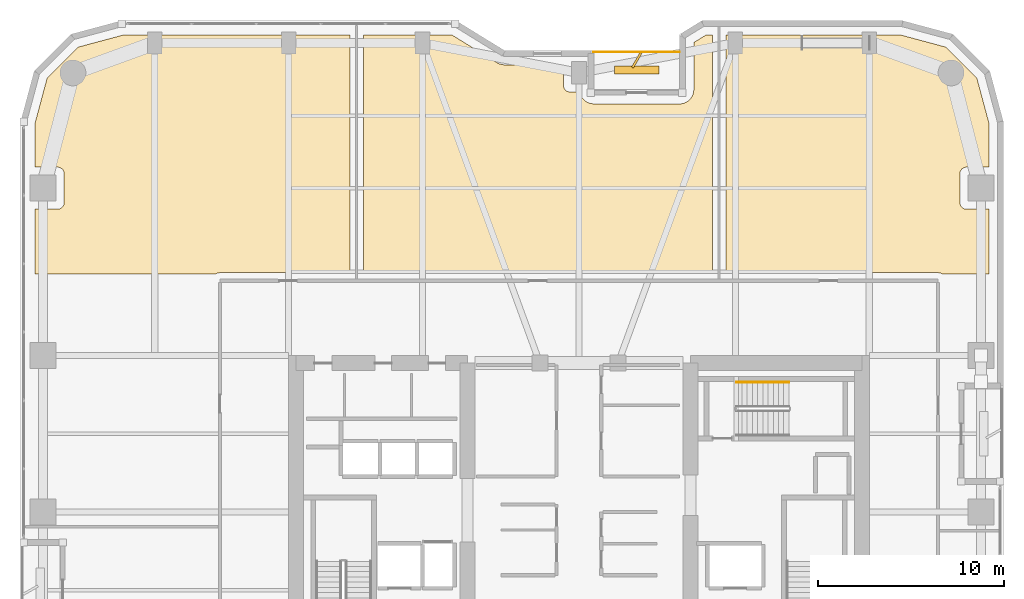
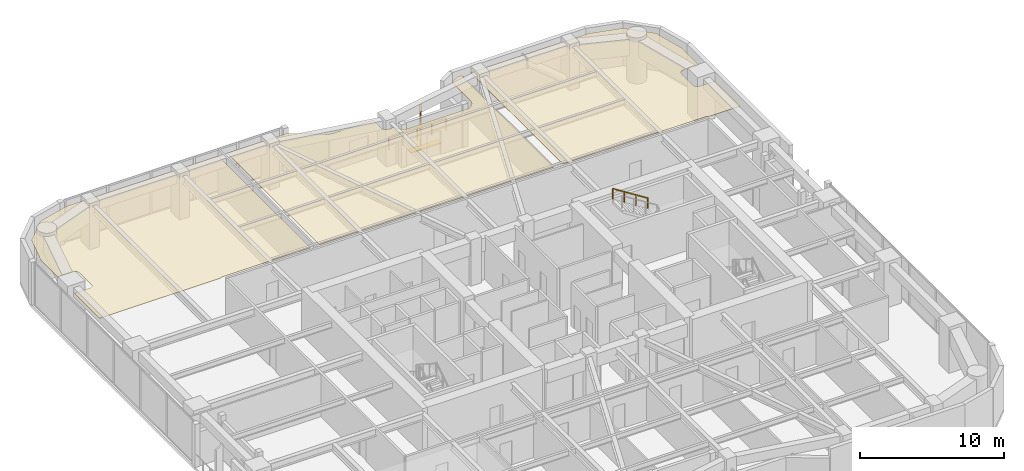
# One storey, part 24 of 24: 3 coverings, 2 railings, 2 shading devices.
"""IFC4 building model written with IfcOpenShell, lengths in metres."""

from ifc_helpers import new_model, si_unit, direction, frame, origin, origin_2d, place, context, subcontext, project, spatial, polyline, rectangle, outline, extrude, material, layer, layer_set, type_object, element, save


model = new_model("IFC4")

# Units and contexts
model_context = context("Model", 3, precision=1e-05, world=origin(), true_north=direction((0.0, 1.0)))
body_context = subcontext(model_context, "Body", "Model", "MODEL_VIEW")
ifc_project = project(units=[si_unit("LENGTHUNIT", "METRE"), si_unit("AREAUNIT", "SQUARE_METRE"), si_unit("VOLUMEUNIT", "CUBIC_METRE"), si_unit("PLANEANGLEUNIT", "RADIAN"), si_unit("MASSUNIT", "GRAM", prefix="KILO")], contexts=[model_context])

# Site, building, storey
site_placement = place(None, origin())
site = spatial("IfcSite", under=ifc_project, at=site_placement, CompositionType="ELEMENT")
building_placement = place(site_placement, origin())
building = spatial("IfcBuilding", under=site, at=building_placement, Name="Kiyonajd Concourse Tower", CompositionType="ELEMENT")
storey_placement = place(building_placement, frame((0.0, 0.0, 113.10009765625)))
storey = spatial("IfcBuildingStorey", under=building, at=storey_placement, Name="L29", CompositionType="ELEMENT", Elevation=113.10009765625)

# Coverings
ifc_material_1 = material(Name="Natural Oak Acoustic Timber Veneer", Category="wood")
ifc_layer = layer(ifc_material_1, 0.0400390625)
ifc_layer_set = layer_set([ifc_layer], Name="Natural Oak Acoustic Timber Veneer")
covering_type = type_object("IfcCoveringType", Name="CV-CLG-ACST", PredefinedType="CEILING", material=ifc_layer_set)
covering_1_placement = place(storey_placement, frame((0.0, 0.0, 3.4599609375)))
element("IfcCovering", 1, at=covering_1_placement, inside=storey, type_object=covering_type, Name="L29-49 Room Acoustic Ceiling", PredefinedType="CEILING", context=body_context, shape_type="SweptSolid", body=[
    extrude(outline(polyline([(21.097900390625, 60.986083984375), (23.5009765625, 61.6298828125), (35.68994140625, 61.6298828125), (35.68994140625, 48.860107421875), (28.699951171875, 48.860107421875), (28.570068359375, 48.840087890625), (28.507080078125, 48.81396484375), (28.451904296875, 48.780029296875), (18.77001953125, 48.780029296875), (18.77001953125, 52.27001953125), (19.97998046875, 52.27001953125), (20.048095703125, 52.277099609375), (20.14501953125, 52.31103515625), (20.201904296875, 52.34912109375), (20.2509765625, 52.39794921875), (20.2890625, 52.455078125), (20.31494140625, 52.51806640625), (20.330078125, 52.6201171875), (20.330078125, 54.179931640625), (20.31494140625, 54.281982421875), (20.2890625, 54.344970703125), (20.2509765625, 54.402099609375), (20.201904296875, 54.450927734375), (20.14501953125, 54.489013671875), (20.08203125, 54.514892578125), (20.013916015625, 54.528076171875), (18.77001953125, 54.530029296875), (18.77001953125, 56.89892578125), (19.4140625, 59.302001953125), (21.097900390625, 60.986083984375)])), origin(), (0.0, 0.0, 1.0), 0.0400390625),
])
covering_2_placement = place(storey_placement, frame((0.0, 0.0, 3.4599609375)))
element("IfcCovering", 2, at=covering_2_placement, inside=storey, type_object=covering_type, Name="L29-50 Room Acoustic Ceiling", PredefinedType="CEILING", context=body_context, shape_type="SweptSolid", body=[
    extrude(outline(polyline([(43.694091796875, 60.093994140625), (43.85888671875, 60.04296875), (44.0, 60.030029296875), (47.169921875, 60.030029296875), (47.169921875, 58.919921875), (47.18505859375, 58.818115234375), (47.22900390625, 58.72607421875), (47.27294921875, 58.673095703125), (47.325927734375, 58.62890625), (47.385986328125, 58.596923828125), (47.451904296875, 58.576904296875), (47.52001953125, 58.570068359375), (48.041015625, 58.570068359375), (48.069091796875, 58.4599609375), (48.114990234375, 58.34912109375), (48.18310546875, 58.240966796875), (48.242919921875, 58.16796875), (48.320068359375, 58.097900390625), (48.448974609375, 58.014892578125), (48.52099609375, 57.98291015625), (48.633056640625, 57.947998046875), (48.800048828125, 57.929931640625), (53.491943359375, 57.93603515625), (53.60693359375, 57.9580078125), (53.7041015625, 57.991943359375), (53.839111328125, 58.068115234375), (53.931884765625, 58.14306640625), (54.008056640625, 58.22802734375), (54.056884765625, 58.300048828125), (54.10791015625, 58.39599609375), (54.152099609375, 58.532958984375), (54.16796875, 58.658935546875), (54.169921875, 61.23095703125), (54.818115234375, 61.6298828125), (55.169921875, 61.6298828125), (55.169921875, 48.860107421875), (36.409912109375, 48.860107421875), (36.409912109375, 61.6298828125), (41.181884765625, 61.6298828125), (43.596923828125, 60.14404296875), (43.694091796875, 60.093994140625)])), origin(), (0.0, 0.0, 1.0), 0.0400390625),
])
covering_3_placement = place(storey_placement, frame((0.0, 0.0, 3.4599609375)))
element("IfcCovering", 3, at=covering_3_placement, inside=storey, type_object=covering_type, Name="L29-51 Room Acoustic Ceiling", PredefinedType="CEILING", context=body_context, shape_type="SweptSolid", body=[
    extrude(outline(polyline([(67.548095703125, 48.780029296875), (67.492919921875, 48.81396484375), (67.429931640625, 48.840087890625), (67.300048828125, 48.860107421875), (55.889892578125, 48.860107421875), (55.889892578125, 61.6298828125), (65.299072265625, 61.6298828125), (67.701904296875, 60.986083984375), (69.385986328125, 59.302001953125), (70.030029296875, 56.89892578125), (70.030029296875, 54.530029296875), (68.785888671875, 54.528076171875), (68.718017578125, 54.514892578125), (68.655029296875, 54.489013671875), (68.597900390625, 54.450927734375), (68.549072265625, 54.402099609375), (68.510986328125, 54.344970703125), (68.485107421875, 54.281982421875), (68.469970703125, 54.179931640625), (68.471923828125, 52.5859375), (68.4970703125, 52.486083984375), (68.549072265625, 52.39794921875), (68.597900390625, 52.34912109375), (68.655029296875, 52.31103515625), (68.751953125, 52.277099609375), (68.820068359375, 52.27001953125), (70.030029296875, 52.27001953125), (70.030029296875, 48.780029296875), (67.548095703125, 48.780029296875)])), origin(), (0.0, 0.0, 1.0), 0.0400390625),
])

# Railings
ifc_material_2 = material(Name="Thermally Broken Anodised Aluminium", Category="aluminium")
railing_type_1 = type_object("IfcRailingType", Name="RL-GRD-LOG", PredefinedType="GUARDRAIL", material=ifc_material_2)
railing_1_placement = place(storey_placement, frame((53.39990234375, 60.719970703125, 0.0)))
element("IfcRailing", 4, at=railing_1_placement, inside=storey, type_object=railing_type_1, Name="L29 Engawa Loggia Perimeter Guard LOG-N", PredefinedType="GUARDRAIL", context=body_context, shape_type="SweptSolid", body=[
    extrude(rectangle(XDim=0.048095703125, YDim=0.048095703125, at=origin_2d()), frame((0.0, 0.0, 1.076171875), z_axis=(-1.0, 0.0, 0.0), x_axis=(0.0, -1.0, 0.0)), (0.0, 0.0, 1.0), 4.599853515625),
    extrude(rectangle(XDim=0.0419921875, YDim=0.0419921875, at=origin_2d()), origin(), (0.0, 0.0, 1.0), 1.052001953125),
    extrude(rectangle(XDim=0.0419921875, YDim=0.0419921875, at=origin_2d()), frame((-1.14990234375, 0.0, 0.0)), (0.0, 0.0, 1.0), 1.052001953125),
    extrude(rectangle(XDim=0.0419921875, YDim=0.0419921875, at=origin_2d()), frame((-2.2998046875, 0.0, 0.0)), (0.0, 0.0, 1.0), 1.052001953125),
    extrude(rectangle(XDim=0.0419921875, YDim=0.0419921875, at=origin_2d()), frame((-3.449951171875, 0.0, 0.0)), (0.0, 0.0, 1.0), 1.052001953125),
    extrude(rectangle(XDim=0.0419921875, YDim=0.0419921875, at=origin_2d()), frame((-4.599853515625, 0.0, 0.0)), (0.0, 0.0, 1.0), 1.052001953125),
])
ifc_material_3 = material(Name="Brushed Stainless Steel Cab Assembly", Category="steel")
railing_type_2 = type_object("IfcRailingType", Name="RL-HND-900", PredefinedType="HANDRAIL", material=ifc_material_3)
railing_2_placement = place(storey_placement, frame((59.280029296875, 42.969970703125, 2.127197265625)))
element("IfcRailing", 5, at=railing_2_placement, inside=storey, type_object=railing_type_2, Name="L29 ST3 stair handrail 2", PredefinedType="HANDRAIL", context=body_context, shape_type="SweptSolid", body=[
    extrude(rectangle(XDim=0.048095703125, YDim=0.048095703125, at=origin_2d()), frame((0.0, 0.0, 0.8759765625), z_axis=(-0.844908973607, 0.0, 0.534910110503), x_axis=(0.0, -1.0, 0.0)), (0.0, 0.0, 1.0), 3.31396484375),
    extrude(rectangle(XDim=0.0419921875, YDim=0.0419921875, at=origin_2d()), origin(), (0.0, 0.0, 1.0), 0.851806640625),
    extrude(rectangle(XDim=0.0419921875, YDim=0.0419921875, at=origin_2d()), frame((-0.933349609375, 0.0, 0.5908203125)), (0.0, 0.0, 1.0), 0.851806640625),
    extrude(rectangle(XDim=0.0419921875, YDim=0.0419921875, at=origin_2d()), frame((-1.86669921875, 0.0, 1.181884765625)), (0.0, 0.0, 1.0), 0.851806640625),
    extrude(rectangle(XDim=0.0419921875, YDim=0.0419921875, at=origin_2d()), frame((-2.800048828125, 0.0, 1.772705078125)), (0.0, 0.0, 1.0), 0.851806640625),
])

# Shading devices
ifc_material_4 = material(Name="Precast concrete C50/60", Category="concrete")
shading_device_type_1 = type_object("IfcShadingDeviceType", Name="SH-FIN-900", PredefinedType="USERDEFINED", material=ifc_material_4)
shading_device_1_placement = place(storey_placement, frame((51.10009765625, 60.27001953125, 0.0), z_axis=(0.0, 0.0, 1.0), x_axis=(0.5, 0.866025403784, 0.0)))
element("IfcShadingDevice", 6, at=shading_device_1_placement, inside=storey, type_object=shading_device_type_1, Name="L29 Angled Koshi Solar Fin LOG-N", ObjectType="FIN", PredefinedType="USERDEFINED", context=body_context, shape_type="SweptSolid", body=[
    extrude(rectangle(XDim=0.89990234375, YDim=0.1201171875, at=origin_2d()), origin(), (0.0, 0.0, 1.0), 3.0),
])
shading_device_type_2 = type_object("IfcShadingDeviceType", Name="SH-LVR-600", PredefinedType="JALOUSIE", material=ifc_material_2)
shading_device_2_placement = place(storey_placement, frame((51.10009765625, 59.75, -0.000244140625), z_axis=(0.0, 0.0, 1.0), x_axis=(1.0, 0.0, 0.0)))
element("IfcShadingDevice", 7, at=shading_device_2_placement, inside=storey, type_object=shading_device_type_2, Name="L29 Loggia Threshold Louver LOG-N", PredefinedType="JALOUSIE", context=body_context, shape_type="SweptSolid", body=[
    extrude(rectangle(XDim=2.39990234375, YDim=0.449951171875, at=origin_2d()), origin(), (0.0, 0.0, 1.0), 0.10009765625),
])

save(model, "model.ifc")
